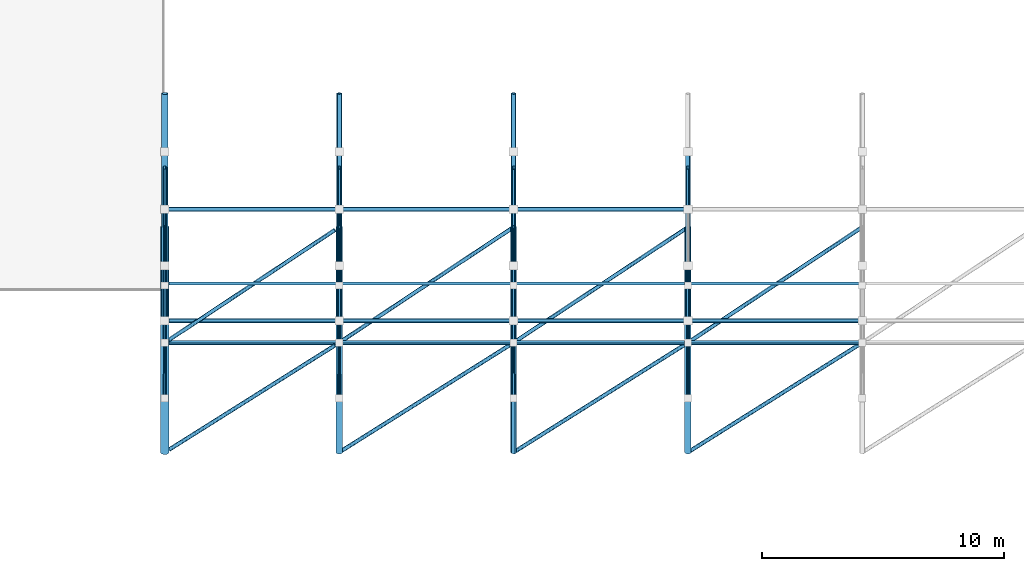
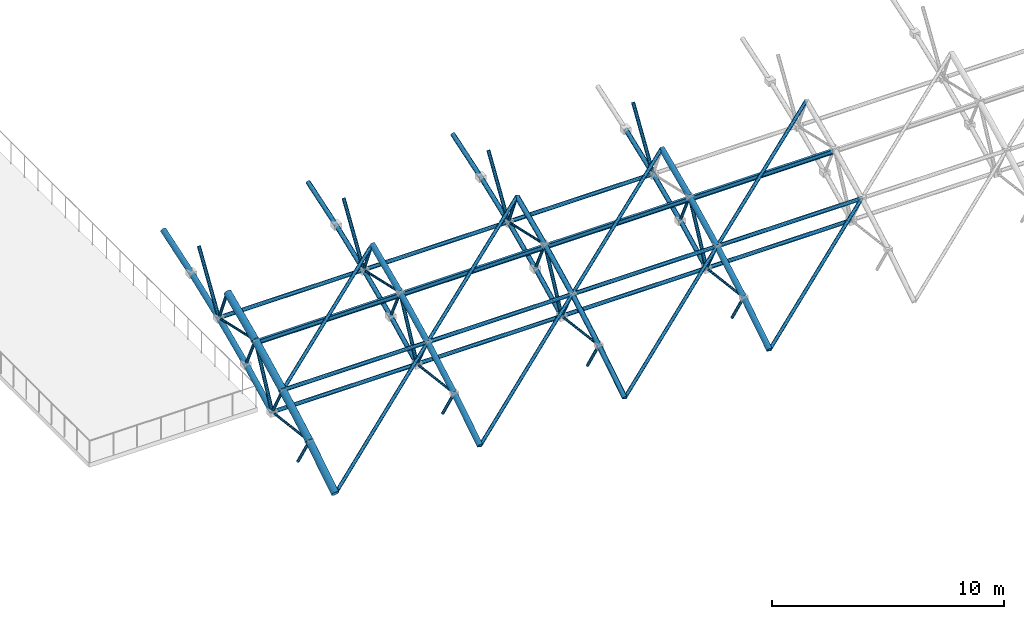
# One storey, part 52 of 89: 84 members.
"""IFC4 building model written with IfcOpenShell, lengths in metres."""

import ifcopenshell
import ifcopenshell.guid

model = None  # the IFC model being written
_history = None  # IfcOwnerHistory: only IFC2X3 demands one
_inside = {}  # id of a spatial element -> (the spatial element, [elements in it])
_under = {}  # id of a project, library or spatial element -> (it, [spatial elements below it])
_declared = {}  # id of a project -> (the project, [libraries it declares])
_typed = {}  # id of a type object -> (the type object, [elements of that type])
_made_of = {}  # id of a material, layer set ... -> (it, [elements and type objects made of it])


def new_model(schema):
    """Start an empty IFC model of exactly this schema.

    Asked for "IFC4X3", IfcOpenShell would pick the latest addendum, in which some entities
    have other attributes; the version numbers below select the first issue.
    IFC2X3 requires an IfcOwnerHistory on every rooted entity: one is made here for all.
    """
    global model, _history
    if schema == "IFC4X3":
        model = ifcopenshell.file(schema_version=(4, 3, 0, 0))
    else:
        model = ifcopenshell.file(schema=schema)
    _inside.clear()
    _under.clear()
    _declared.clear()
    _typed.clear()
    _made_of.clear()
    _history = None
    if model.schema == "IFC2X3":
        org = make("IfcOrganization", Name="unknown")
        user = make(
            "IfcPersonAndOrganization",
            ThePerson=make("IfcPerson", FamilyName="unknown"),
            TheOrganization=org,
        )
        app = make(
            "IfcApplication",
            ApplicationDeveloper=org,
            Version="unknown",
            ApplicationFullName="unknown",
            ApplicationIdentifier="unknown",
        )
        _history = make(
            "IfcOwnerHistory",
            OwningUser=user,
            OwningApplication=app,
            ChangeAction="ADDED",
            CreationDate=0,
        )
    return model


def make(cls, **values):
    """One entity of the class cls with the attributes given. An attribute that is None is left unset."""
    return model.create_entity(
        cls, **{name: value for name, value in values.items() if value is not None}
    )


def rooted(cls, **values):
    """An entity with a GlobalId (a new one), such as an element, a storey or a relation."""
    return make(cls, GlobalId=ifcopenshell.guid.new(), OwnerHistory=_history, **values)


def si_unit(unit_type, name, prefix=None):
    """IfcSIUnit, for example si_unit("LENGTHUNIT", "METRE", prefix="MILLI")."""
    return make("IfcSIUnit", UnitType=unit_type, Prefix=prefix, Name=name)


def assignment(units):
    """IfcUnitAssignment: the units of a project."""
    return None if units is None else make("IfcUnitAssignment", Units=units)


def point(xyz):
    """IfcCartesianPoint."""
    return None if xyz is None else make("IfcCartesianPoint", Coordinates=xyz)


def direction(xyz):
    """IfcDirection."""
    return None if xyz is None else make("IfcDirection", DirectionRatios=xyz)


def frame(location, z_axis=None, x_axis=None):
    """IfcAxis2Placement3D, a coordinate frame: its origin and axes. An axis left out is left unset."""
    return make(
        "IfcAxis2Placement3D",
        Location=point(location),
        Axis=direction(z_axis),
        RefDirection=direction(x_axis),
    )


def frame_2d(location, x_axis=None):
    """IfcAxis2Placement2D, a coordinate frame in the plane: its origin and x axis."""
    return make(
        "IfcAxis2Placement2D", Location=point(location), RefDirection=direction(x_axis)
    )


def origin():
    """The frame at (0, 0, 0) with its axes left unset."""
    return frame((0.0, 0.0, 0.0))


def origin_2d():
    """The frame at (0, 0) in the plane with its x axis left unset."""
    return frame_2d((0.0, 0.0))


def place(relative_to, where):
    """IfcLocalPlacement: puts the frame where relative to a parent placement (None: the world)."""
    return make(
        "IfcLocalPlacement", PlacementRelTo=relative_to, RelativePlacement=where
    )


def context(
    kind, dimensions, precision=None, world=None, true_north=None, identifier=None
):
    """IfcGeometricRepresentationContext, for example the 3D "Model" context."""
    return make(
        "IfcGeometricRepresentationContext",
        ContextIdentifier=identifier,
        ContextType=kind,
        CoordinateSpaceDimension=dimensions,
        Precision=precision,
        WorldCoordinateSystem=world,
        TrueNorth=true_north,
    )


def subcontext(parent, identifier, kind, view, scale=None):
    """IfcGeometricRepresentationSubContext, for example "Body" below "Model"."""
    return make(
        "IfcGeometricRepresentationSubContext",
        ContextIdentifier=identifier,
        ContextType=kind,
        ParentContext=parent,
        TargetScale=scale,
        TargetView=view,
    )


def project(units=None, contexts=None):
    """IfcProject with its units and contexts."""
    return rooted(
        "IfcProject",
        Name="project",
        RepresentationContexts=contexts,
        UnitsInContext=assignment(units),
    )


def spatial(cls, under=None, at=None, **own):
    """A site, building, storey or space (cls), placed at a placement, below another one or the project."""
    s = rooted(cls, ObjectPlacement=at, **own)
    if under is not None:
        _under.setdefault(under.id(), (under, []))[1].append(s)
    return s


def profile(cls, at=None, kind="AREA", **sizes):
    """A parametric profile (cls). Its sizes go by their IFC names, for example OverallWidth=200.0."""
    return make(cls, ProfileType=kind, Position=at, **sizes)


def hollow_circle(**sizes):
    """IfcCircleHollowProfileDef."""
    return profile("IfcCircleHollowProfileDef", **sizes)


def i_section(**sizes):
    """IfcIShapeProfileDef."""
    return profile("IfcIShapeProfileDef", **sizes)


def extrude(swept, where, along, depth):
    """IfcExtrudedAreaSolid: the profile swept, set in the frame where, extruded along a direction by depth."""
    return make(
        "IfcExtrudedAreaSolid",
        SweptArea=swept,
        Position=where,
        ExtrudedDirection=direction(along),
        Depth=depth,
    )


def shape(context_of_items, identifier, shape_type, items):
    """IfcShapeRepresentation: the items that make up one representation, for example the "Body"."""
    return make(
        "IfcShapeRepresentation",
        ContextOfItems=context_of_items,
        RepresentationIdentifier=identifier,
        RepresentationType=shape_type,
        Items=items,
    )


def material(Name=None, Category=None):
    """IfcMaterial."""
    return make("IfcMaterial", Name=Name, Category=Category)


def material_profile(
    of_material, cross_section, Name=None, Category=None, Priority=None
):
    """IfcMaterialProfile: a cross section and its material."""
    return make(
        "IfcMaterialProfile",
        Name=Name,
        Material=of_material,
        Profile=cross_section,
        Priority=Priority,
        Category=Category,
    )


def profile_set(profiles, Name=None, composite=None):
    """IfcMaterialProfileSet."""
    return make(
        "IfcMaterialProfileSet",
        Name=Name,
        MaterialProfiles=profiles,
        CompositeProfile=composite,
    )


def made_of(thing, what):
    """Note that an element or type object is made of a material, layer set ...; save() writes the relation."""
    if what is not None:
        _made_of.setdefault(what.id(), (what, []))[1].append(thing)
    return thing


def type_object(cls, material=None, **own):
    """A type object (cls), such as IfcWallType, which elements share."""
    return made_of(rooted(cls, **own), material)


def element(
    cls,
    number,
    at=None,
    inside=None,
    cuts=None,
    type_object=None,
    material=None,
    context=None,
    identifier="Body",
    shape_type=None,
    held_by="IfcProductDefinitionShape",
    body=None,
    shapes=None,
    **own,
):
    """One element of the class cls, such as IfcWall. Its Tag is "e" and its number.

    at: its placement. inside: the storey or other place that contains it. cuts: it is an
    opening in that element (IfcRelVoidsElement). A single representation is given by context,
    identifier, shape_type and body (its items); several are given by shapes. held_by: the class
    of the entity that holds the representations. save() writes the other relations.
    """
    e = rooted(cls, Tag="e%d" % number, ObjectPlacement=at, **own)
    if body is not None:
        shapes = [shape(context, identifier, shape_type, body)]
    if shapes is not None:
        e.Representation = make(held_by, Representations=shapes)
    if inside is not None:
        _inside.setdefault(inside.id(), (inside, []))[1].append(e)
    if cuts is not None:
        rooted(
            "IfcRelVoidsElement", RelatingBuildingElement=cuts, RelatedOpeningElement=e
        )
    if type_object is not None:
        _typed.setdefault(type_object.id(), (type_object, []))[1].append(e)
    return made_of(e, material)


def aggregate(whole, parts):
    """IfcRelAggregates: a whole, such as a stair, and the parts it consists of."""
    return rooted("IfcRelAggregates", RelatingObject=whole, RelatedObjects=parts)


def save(model, path):
    """Write the relations noted so far, then the file.

    IfcRelAggregates (storeys below a building ...), IfcRelContainedInSpatialStructure (elements
    in a storey), IfcRelDefinesByType, IfcRelAssociatesMaterial and IfcRelDeclares: one each for
    every whole, place, type object, material and project.
    """
    for whole, parts in _under.values():
        aggregate(whole, parts)
    for where, things in _inside.values():
        rooted(
            "IfcRelContainedInSpatialStructure",
            RelatedElements=things,
            RelatingStructure=where,
        )
    for kind, things in _typed.values():
        rooted("IfcRelDefinesByType", RelatedObjects=things, RelatingType=kind)
    for what, things in _made_of.values():
        rooted("IfcRelAssociatesMaterial", RelatedObjects=things, RelatingMaterial=what)
    for by, libraries in _declared.values():
        rooted("IfcRelDeclares", RelatingContext=by, RelatedDefinitions=libraries)
    model.write(path)


model = new_model("IFC4")

# Units and contexts
model_context = context("Model", 3, precision=1e-05, world=origin(), true_north=direction((0.0, 1.0)))
body_context = subcontext(model_context, "Body", "Model", "MODEL_VIEW")
ifc_project = project(units=[si_unit("LENGTHUNIT", "METRE"), si_unit("AREAUNIT", "SQUARE_METRE"), si_unit("VOLUMEUNIT", "CUBIC_METRE"), si_unit("PLANEANGLEUNIT", "RADIAN"), si_unit("MASSUNIT", "GRAM", prefix="KILO")], contexts=[model_context])

# Site, building, storey
site_placement = place(None, origin())
site = spatial("IfcSite", under=ifc_project, at=site_placement, CompositionType="ELEMENT")
building_placement = place(site_placement, origin())
building = spatial("IfcBuilding", under=site, at=building_placement, Name="Malvenik Polytechnic", CompositionType="ELEMENT")
storey_placement = place(building_placement, frame((0.0, 0.0, 13.5)))
storey = spatial("IfcBuildingStorey", under=building, at=storey_placement, Name="L03", CompositionType="ELEMENT", Elevation=13.5)

# Members
ifc_material_1 = material(Name="Steel S355J2H", Category="steel")
ifc_material_profile_1 = material_profile(ifc_material_1, hollow_circle(Radius=0.136474609375, WallThickness=0.010009765625, at=origin_2d()), Name="CHS 273.0x10.0")
ifc_profile_set_1 = profile_set([ifc_material_profile_1], Name="Steel S355J2H")
member_type_1 = type_object("IfcMemberType", Name="STR-MEM-SFB-01", PredefinedType="CHORD", material=ifc_profile_set_1)
for number, where, z_axis, x_axis, name in (
    (1, (134.39990234375, 40.3701171875, 0.5078125), (0.0, 0.894003091433, 0.448060791086), (-1.0, 0.0, 0.0), "Space-Frame Tube SFB-01 STR-SF-BC-0005"),
    (2, (134.39990234375, 42.643798828125, 1.647216796875), (0.0, 0.914781782252, 0.403948376479), (-1.0, 0.0, 0.0), "Space-Frame Tube SFB-01 STR-SF-BC-0007"),
    (3, (134.39990234375, 44.970458984375, 2.67431640625), (0.0, 0.933457240212, 0.358688696079), (-1.0, 0.0, 0.0), "Space-Frame Tube SFB-01 STR-SF-BC-0009"),
):
    element("IfcMember", number, at=place(storey_placement, frame(where, z_axis=z_axis, x_axis=x_axis)), inside=storey, type_object=member_type_1, Name=name, PredefinedType="CHORD", context=body_context, shape_type="SweptSolid", body=[
        extrude(hollow_circle(Radius=0.136474609375, WallThickness=0.010009765625, at=origin_2d()), origin(), (0.0, 0.0, 1.0), 2.535400390625),
    ])
member_1_placement = place(storey_placement, frame((134.39990234375, 47.3447265625, 3.58642578125), z_axis=(0.0, 0.949889677261, 0.312585349999), x_axis=(-1.0, 0.0, 0.0)))
element("IfcMember", 4, at=member_1_placement, inside=storey, type_object=member_type_1, Name="Space-Frame Tube SFB-01 STR-SF-BC-0011", PredefinedType="CHORD", context=body_context, shape_type="SweptSolid", body=[
    extrude(hollow_circle(Radius=0.136474609375, WallThickness=0.010009765625, at=origin_2d()), origin(), (0.0, 0.0, 1.0), 2.53515625),
])
ifc_material_profile_2 = material_profile(ifc_material_1, hollow_circle(Radius=0.109619140625, WallThickness=0.010009765625, at=origin_2d()), Name="CHS 219.1x10.0")
ifc_profile_set_2 = profile_set([ifc_material_profile_2], Name="Steel S355J2H")
member_type_2 = type_object("IfcMemberType", Name="STR-MEM-SFB-02", PredefinedType="CHORD", material=ifc_profile_set_2)
for number, where, z_axis, x_axis, name in (
    (5, (141.60009765625, 40.3701171875, 0.5078125), (0.0, 0.894003091433, 0.448060791086), (-1.0, 0.0, 0.0), "Space-Frame Tube SFB-02 STR-SF-BC-0102"),
    (6, (141.60009765625, 42.643798828125, 1.647216796875), (0.0, 0.914781782252, 0.403948376479), (-1.0, 0.0, 0.0), "Space-Frame Tube SFB-02 STR-SF-BC-0104"),
    (7, (141.60009765625, 44.970458984375, 2.67431640625), (0.0, 0.933457240212, 0.358688696079), (-1.0, 0.0, 0.0), "Space-Frame Tube SFB-02 STR-SF-BC-0106"),
):
    element("IfcMember", number, at=place(storey_placement, frame(where, z_axis=z_axis, x_axis=x_axis)), inside=storey, type_object=member_type_2, Name=name, PredefinedType="CHORD", context=body_context, shape_type="SweptSolid", body=[
        extrude(hollow_circle(Radius=0.109619140625, WallThickness=0.010009765625, at=origin_2d()), origin(), (0.0, 0.0, 1.0), 2.535400390625),
    ])
member_2_placement = place(storey_placement, frame((141.60009765625, 47.3447265625, 3.58642578125), z_axis=(0.0, 0.949889677261, 0.312585349999), x_axis=(-1.0, 0.0, 0.0)))
element("IfcMember", 8, at=member_2_placement, inside=storey, type_object=member_type_2, Name="Space-Frame Tube SFB-02 STR-SF-BC-0108", PredefinedType="CHORD", context=body_context, shape_type="SweptSolid", body=[
    extrude(hollow_circle(Radius=0.109619140625, WallThickness=0.010009765625, at=origin_2d()), origin(), (0.0, 0.0, 1.0), 2.53515625),
])
for number, where, z_axis, x_axis, name in (
    (9, (156.0, 40.3701171875, 0.5078125), (0.0, 0.894003091433, 0.448060791086), (-1.0, 0.0, 0.0), "Space-Frame Tube SFB-02 STR-SF-BC-0296"),
    (10, (156.0, 42.643798828125, 1.647216796875), (0.0, 0.914781782252, 0.403948376479), (-1.0, 0.0, 0.0), "Space-Frame Tube SFB-02 STR-SF-BC-0298"),
    (11, (156.0, 44.970458984375, 2.67431640625), (0.0, 0.933457240212, 0.358688696079), (-1.0, 0.0, 0.0), "Space-Frame Tube SFB-02 STR-SF-BC-0300"),
):
    element("IfcMember", number, at=place(storey_placement, frame(where, z_axis=z_axis, x_axis=x_axis)), inside=storey, type_object=member_type_2, Name=name, PredefinedType="CHORD", context=body_context, shape_type="SweptSolid", body=[
        extrude(hollow_circle(Radius=0.109619140625, WallThickness=0.010009765625, at=origin_2d()), origin(), (0.0, 0.0, 1.0), 2.535400390625),
    ])
ifc_material_profile_3 = material_profile(ifc_material_1, hollow_circle(Radius=0.109619140625, WallThickness=0.008056640625, at=origin_2d()), Name="CHS 219.1x8.0")
ifc_profile_set_3 = profile_set([ifc_material_profile_3], Name="Steel S355J2H")
member_type_3 = type_object("IfcMemberType", Name="STR-MEM-SFB-03", PredefinedType="CHORD", material=ifc_profile_set_3)
for number, where, z_axis, x_axis, name in (
    (12, (148.800048828125, 40.3701171875, 0.5078125), (0.0, 0.894003091433, 0.448060791086), (-1.0, 0.0, 0.0), "Space-Frame Tube SFB-03 STR-SF-BC-0199"),
    (13, (148.800048828125, 42.643798828125, 1.647216796875), (0.0, 0.914781782252, 0.403948376479), (-1.0, 0.0, 0.0), "Space-Frame Tube SFB-03 STR-SF-BC-0201"),
    (14, (148.800048828125, 44.970458984375, 2.67431640625), (0.0, 0.933457240212, 0.358688696079), (-1.0, 0.0, 0.0), "Space-Frame Tube SFB-03 STR-SF-BC-0203"),
):
    element("IfcMember", number, at=place(storey_placement, frame(where, z_axis=z_axis, x_axis=x_axis)), inside=storey, type_object=member_type_3, Name=name, PredefinedType="CHORD", context=body_context, shape_type="SweptSolid", body=[
        extrude(hollow_circle(Radius=0.109619140625, WallThickness=0.008056640625, at=origin_2d()), origin(), (0.0, 0.0, 1.0), 2.535400390625),
    ])
member_3_placement = place(storey_placement, frame((148.800048828125, 47.3447265625, 3.58642578125), z_axis=(0.0, 0.949889677261, 0.312585349999), x_axis=(-1.0, 0.0, 0.0)))
element("IfcMember", 15, at=member_3_placement, inside=storey, type_object=member_type_3, Name="Space-Frame Tube SFB-03 STR-SF-BC-0205", PredefinedType="CHORD", context=body_context, shape_type="SweptSolid", body=[
    extrude(hollow_circle(Radius=0.109619140625, WallThickness=0.008056640625, at=origin_2d()), origin(), (0.0, 0.0, 1.0), 2.53515625),
])
ifc_material_profile_4 = material_profile(ifc_material_1, hollow_circle(Radius=0.084228515625, WallThickness=0.00634765625, at=origin_2d()), Name="CHS 168.3x6.3")
ifc_profile_set_4 = profile_set([ifc_material_profile_4], Name="Steel S355J2H")
member_type_4 = type_object("IfcMemberType", Name="STR-MEM-SFD-02", PredefinedType="BRACE", material=ifc_profile_set_4)
member_4_placement = place(storey_placement, frame((134.39990234375, 40.368408203125, 0.509521484375), z_axis=(0.0, 0.450365953403, 0.892844055821), x_axis=(-1.0, 0.0, 0.0)))
element("IfcMember", 16, at=member_4_placement, inside=storey, type_object=member_type_4, Name="Space-Frame Tube SFD-02 STR-SF-AD-0076", PredefinedType="BRACE", context=body_context, shape_type="SweptSolid", body=[
    extrude(hollow_circle(Radius=0.084228515625, WallThickness=0.00634765625, at=origin_2d()), origin(), (0.0, 0.0, 1.0), 3.218994140625),
])
member_5_placement = place(storey_placement, frame((134.39990234375, 44.968994140625, 2.676513671875), z_axis=(0.0, 0.535421954328, 0.844584709087), x_axis=(-1.0, 0.0, 0.0)))
element("IfcMember", 17, at=member_5_placement, inside=storey, type_object=member_type_4, Name="Space-Frame Tube SFD-02 STR-SF-AD-0078", PredefinedType="BRACE", context=body_context, shape_type="SweptSolid", body=[
    extrude(hollow_circle(Radius=0.084228515625, WallThickness=0.00634765625, at=origin_2d()), origin(), (0.0, 0.0, 1.0), 3.21875),
])
member_6_placement = place(storey_placement, frame((141.60009765625, 40.368408203125, 0.509521484375), z_axis=(0.0, 0.450365953403, 0.892844055821), x_axis=(-1.0, 0.0, 0.0)))
element("IfcMember", 18, at=member_6_placement, inside=storey, type_object=member_type_4, Name="Space-Frame Tube SFD-02 STR-SF-AD-0173", PredefinedType="BRACE", context=body_context, shape_type="SweptSolid", body=[
    extrude(hollow_circle(Radius=0.084228515625, WallThickness=0.00634765625, at=origin_2d()), origin(), (0.0, 0.0, 1.0), 3.218994140625),
])
member_7_placement = place(storey_placement, frame((141.60009765625, 44.968994140625, 2.676513671875), z_axis=(0.0, 0.535421954328, 0.844584709087), x_axis=(-1.0, 0.0, 0.0)))
element("IfcMember", 19, at=member_7_placement, inside=storey, type_object=member_type_4, Name="Space-Frame Tube SFD-02 STR-SF-AD-0175", PredefinedType="BRACE", context=body_context, shape_type="SweptSolid", body=[
    extrude(hollow_circle(Radius=0.084228515625, WallThickness=0.00634765625, at=origin_2d()), origin(), (0.0, 0.0, 1.0), 3.21875),
])
member_8_placement = place(storey_placement, frame((148.800048828125, 40.368408203125, 0.509521484375), z_axis=(0.0, 0.450365953403, 0.892844055821), x_axis=(-1.0, 0.0, 0.0)))
element("IfcMember", 20, at=member_8_placement, inside=storey, type_object=member_type_4, Name="Space-Frame Tube SFD-02 STR-SF-AD-0270", PredefinedType="BRACE", context=body_context, shape_type="SweptSolid", body=[
    extrude(hollow_circle(Radius=0.084228515625, WallThickness=0.00634765625, at=origin_2d()), origin(), (0.0, 0.0, 1.0), 3.218994140625),
])
member_9_placement = place(storey_placement, frame((148.800048828125, 44.968994140625, 2.676513671875), z_axis=(0.0, 0.535421954328, 0.844584709087), x_axis=(-1.0, 0.0, 0.0)))
element("IfcMember", 21, at=member_9_placement, inside=storey, type_object=member_type_4, Name="Space-Frame Tube SFD-02 STR-SF-AD-0272", PredefinedType="BRACE", context=body_context, shape_type="SweptSolid", body=[
    extrude(hollow_circle(Radius=0.084228515625, WallThickness=0.00634765625, at=origin_2d()), origin(), (0.0, 0.0, 1.0), 3.21875),
])
member_10_placement = place(storey_placement, frame((156.0, 40.368408203125, 0.509521484375), z_axis=(0.0, 0.450365953403, 0.892844055821), x_axis=(-1.0, 0.0, 0.0)))
element("IfcMember", 22, at=member_10_placement, inside=storey, type_object=member_type_4, Name="Space-Frame Tube SFD-02 STR-SF-AD-0367", PredefinedType="BRACE", context=body_context, shape_type="SweptSolid", body=[
    extrude(hollow_circle(Radius=0.084228515625, WallThickness=0.00634765625, at=origin_2d()), origin(), (0.0, 0.0, 1.0), 3.218994140625),
])
member_11_placement = place(storey_placement, frame((156.0, 44.968994140625, 2.676513671875), z_axis=(0.0, 0.535421954328, 0.844584709087), x_axis=(-1.0, 0.0, 0.0)))
element("IfcMember", 23, at=member_11_placement, inside=storey, type_object=member_type_4, Name="Space-Frame Tube SFD-02 STR-SF-AD-0369", PredefinedType="BRACE", context=body_context, shape_type="SweptSolid", body=[
    extrude(hollow_circle(Radius=0.084228515625, WallThickness=0.00634765625, at=origin_2d()), origin(), (0.0, 0.0, 1.0), 3.21875),
])
for number, where, z_axis, x_axis, name in (
    (24, (134.577392578125, 35.04541015625, -0.4306640625), (0.806755569266, 0.507394525588, 0.302813881552), (-0.532390408719, 0.846498938395, 0.0), "Space-Frame Tube SFD-02 STR-SF-SD-0803"),
    (25, (134.577392578125, 39.57958984375, 2.260498046875), (0.806758942007, 0.534530311209, 0.251828028406), (-0.552330829134, 0.833625008735, 0.0), "Space-Frame Tube SFD-02 STR-SF-SD-0804"),
):
    element("IfcMember", number, at=place(storey_placement, frame(where, z_axis=z_axis, x_axis=x_axis)), inside=storey, type_object=member_type_4, Name=name, PredefinedType="BRACE", context=body_context, shape_type="SweptSolid", body=[
        extrude(hollow_circle(Radius=0.084228515625, WallThickness=0.00634765625, at=origin_2d()), origin(), (0.0, 0.0, 1.0), 8.48486328125),
    ])
for number, where, z_axis, x_axis, name in (
    (26, (141.603271484375, 34.935791015625, -0.49609375), (0.806747277077, 0.507403378204, 0.302821139809), (-0.532400985757, 0.846492286064, 0.0), "Space-Frame Tube SFD-02 STR-SF-SD-0845"),
    (27, (141.603271484375, 39.464111328125, 2.206298828125), (0.806760787968, 0.534545761531, 0.251789316347), (-0.552341045188, 0.833618239844, 0.0), "Space-Frame Tube SFD-02 STR-SF-SD-0846"),
    (28, (148.80322265625, 34.935791015625, -0.49609375), (0.806747277077, 0.507403378204, 0.302821139809), (-0.532400985757, 0.846492286064, 0.0), "Space-Frame Tube SFD-02 STR-SF-SD-0887"),
    (29, (148.80322265625, 39.464111328125, 2.206298828125), (0.806760787968, 0.534545761531, 0.251789316347), (-0.552341045188, 0.833618239844, 0.0), "Space-Frame Tube SFD-02 STR-SF-SD-0888"),
    (30, (156.003173828125, 34.935791015625, -0.49609375), (0.806747277077, 0.507403378204, 0.302821139809), (-0.532400985757, 0.846492286064, 0.0), "Space-Frame Tube SFD-02 STR-SF-SD-0929"),
    (31, (156.003173828125, 39.464111328125, 2.206298828125), (0.806760787968, 0.534545761531, 0.251789316347), (-0.552341045188, 0.833618239844, 0.0), "Space-Frame Tube SFD-02 STR-SF-SD-0930"),
):
    element("IfcMember", number, at=place(storey_placement, frame(where, z_axis=z_axis, x_axis=x_axis)), inside=storey, type_object=member_type_4, Name=name, PredefinedType="BRACE", context=body_context, shape_type="SweptSolid", body=[
        extrude(hollow_circle(Radius=0.084228515625, WallThickness=0.00634765625, at=origin_2d()), origin(), (0.0, 0.0, 1.0), 8.916748046875),
    ])
ifc_material_profile_5 = material_profile(ifc_material_1, hollow_circle(Radius=0.06982421875, WallThickness=0.00634765625, at=origin_2d()), Name="CHS 139.7x6.3")
ifc_profile_set_5 = profile_set([ifc_material_profile_5], Name="Steel S355J2H")
member_type_5 = type_object("IfcMemberType", Name="STR-MEM-SFD-03", PredefinedType="BRACE", material=ifc_profile_set_5)
for number, where, z_axis, x_axis, name in (
    (32, (134.39990234375, 38.1494140625, -0.740234375), (0.0, -0.512452965651, 0.858715295075), (1.0, 0.0, 0.0), "Space-Frame Tube SFD-03 STR-SF-WB-0050"),
    (33, (134.39990234375, 40.36474609375, 0.509521484375), (0.0, -0.469841077687, 0.882751019097), (1.0, 0.0, 0.0), "Space-Frame Tube SFD-03 STR-SF-WB-0051"),
    (34, (134.39990234375, 42.638427734375, 1.6494140625), (0.0, -0.426152750684, 0.904651221789), (1.0, 0.0, 0.0), "Space-Frame Tube SFD-03 STR-SF-WB-0052"),
    (35, (134.39990234375, 44.96533203125, 2.6767578125), (0.0, -0.381447924526, 0.924390329285), (1.0, 0.0, 0.0), "Space-Frame Tube SFD-03 STR-SF-WB-0053"),
    (36, (141.60009765625, 38.1494140625, -0.740234375), (0.0, -0.512452965651, 0.858715295075), (1.0, 0.0, 0.0), "Space-Frame Tube SFD-03 STR-SF-WB-0147"),
    (37, (141.60009765625, 40.36474609375, 0.509521484375), (0.0, -0.469841077687, 0.882751019097), (1.0, 0.0, 0.0), "Space-Frame Tube SFD-03 STR-SF-WB-0148"),
    (38, (141.60009765625, 42.638427734375, 1.6494140625), (0.0, -0.426152750684, 0.904651221789), (1.0, 0.0, 0.0), "Space-Frame Tube SFD-03 STR-SF-WB-0149"),
    (39, (141.60009765625, 44.96533203125, 2.6767578125), (0.0, -0.381447924526, 0.924390329285), (1.0, 0.0, 0.0), "Space-Frame Tube SFD-03 STR-SF-WB-0150"),
    (40, (148.800048828125, 38.1494140625, -0.740234375), (0.0, -0.512452965651, 0.858715295075), (1.0, 0.0, 0.0), "Space-Frame Tube SFD-03 STR-SF-WB-0244"),
    (41, (148.800048828125, 40.36474609375, 0.509521484375), (0.0, -0.469841077687, 0.882751019097), (1.0, 0.0, 0.0), "Space-Frame Tube SFD-03 STR-SF-WB-0245"),
    (42, (148.800048828125, 42.638427734375, 1.6494140625), (0.0, -0.426152750684, 0.904651221789), (1.0, 0.0, 0.0), "Space-Frame Tube SFD-03 STR-SF-WB-0246"),
    (43, (148.800048828125, 44.96533203125, 2.6767578125), (0.0, -0.381447924526, 0.924390329285), (1.0, 0.0, 0.0), "Space-Frame Tube SFD-03 STR-SF-WB-0247"),
    (44, (156.0, 38.1494140625, -0.740234375), (0.0, -0.512452965651, 0.858715295075), (1.0, 0.0, 0.0), "Space-Frame Tube SFD-03 STR-SF-WB-0341"),
    (45, (156.0, 40.36474609375, 0.509521484375), (0.0, -0.469841077687, 0.882751019097), (1.0, 0.0, 0.0), "Space-Frame Tube SFD-03 STR-SF-WB-0342"),
    (46, (156.0, 42.638427734375, 1.6494140625), (0.0, -0.426152750684, 0.904651221789), (1.0, 0.0, 0.0), "Space-Frame Tube SFD-03 STR-SF-WB-0343"),
):
    element("IfcMember", number, at=place(storey_placement, frame(where, z_axis=z_axis, x_axis=x_axis)), inside=storey, type_object=member_type_5, Name=name, PredefinedType="BRACE", context=body_context, shape_type="SweptSolid", body=[
        extrude(hollow_circle(Radius=0.06982421875, WallThickness=0.00634765625, at=origin_2d()), origin(), (0.0, 0.0, 1.0), 1.9169921875),
    ])
ifc_material_profile_6 = material_profile(ifc_material_1, hollow_circle(Radius=0.05712890625, WallThickness=0.0048828125, at=origin_2d()), Name="CHS 114.3x5.0")
ifc_profile_set_6 = profile_set([ifc_material_profile_6], Name="Steel S355J2H")
member_type_6 = type_object("IfcMemberType", Name="STR-MEM-SFD-04", PredefinedType="BRACE", material=ifc_profile_set_6)
member_12_placement = place(storey_placement, frame((134.39990234375, 37.38330078125, 0.8818359375), z_axis=(0.0, 0.992154741111, -0.125015877754), x_axis=(-1.0, 0.0, 0.0)))
element("IfcMember", 47, at=member_12_placement, inside=storey, type_object=member_type_6, Name="Space-Frame Tube SFD-04 STR-SF-AD-0075", PredefinedType="BRACE", context=body_context, shape_type="SweptSolid", body=[
    extrude(hollow_circle(Radius=0.05712890625, WallThickness=0.0048828125, at=origin_2d()), origin(), (0.0, 0.0, 1.0), 2.786865234375),
])
member_13_placement = place(storey_placement, frame((134.39990234375, 41.82373046875, 3.38623046875), z_axis=(0.0, 0.975202839924, -0.221312948118), x_axis=(-1.0, 0.0, 0.0)))
element("IfcMember", 48, at=member_13_placement, inside=storey, type_object=member_type_6, Name="Space-Frame Tube SFD-04 STR-SF-AD-0077", PredefinedType="BRACE", context=body_context, shape_type="SweptSolid", body=[
    extrude(hollow_circle(Radius=0.05712890625, WallThickness=0.0048828125, at=origin_2d()), origin(), (0.0, 0.0, 1.0), 3.218994140625),
])
member_14_placement = place(storey_placement, frame((141.60009765625, 37.1689453125, 0.908935546875), z_axis=(0.0, 0.992157222226, -0.124996185477), x_axis=(-1.0, 0.0, 0.0)))
element("IfcMember", 49, at=member_14_placement, inside=storey, type_object=member_type_6, Name="Space-Frame Tube SFD-04 STR-SF-AD-0172", PredefinedType="BRACE", context=body_context, shape_type="SweptSolid", body=[
    extrude(hollow_circle(Radius=0.05712890625, WallThickness=0.0048828125, at=origin_2d()), origin(), (0.0, 0.0, 1.0), 3.21875),
])
member_15_placement = place(storey_placement, frame((141.60009765625, 41.82373046875, 3.38623046875), z_axis=(0.0, 0.975202839924, -0.221312948118), x_axis=(-1.0, 0.0, 0.0)))
element("IfcMember", 50, at=member_15_placement, inside=storey, type_object=member_type_6, Name="Space-Frame Tube SFD-04 STR-SF-AD-0174", PredefinedType="BRACE", context=body_context, shape_type="SweptSolid", body=[
    extrude(hollow_circle(Radius=0.05712890625, WallThickness=0.0048828125, at=origin_2d()), origin(), (0.0, 0.0, 1.0), 3.218994140625),
])
member_16_placement = place(storey_placement, frame((148.800048828125, 37.1689453125, 0.908935546875), z_axis=(0.0, 0.992157222226, -0.124996185477), x_axis=(-1.0, 0.0, 0.0)))
element("IfcMember", 51, at=member_16_placement, inside=storey, type_object=member_type_6, Name="Space-Frame Tube SFD-04 STR-SF-AD-0269", PredefinedType="BRACE", context=body_context, shape_type="SweptSolid", body=[
    extrude(hollow_circle(Radius=0.05712890625, WallThickness=0.0048828125, at=origin_2d()), origin(), (0.0, 0.0, 1.0), 3.21875),
])
member_17_placement = place(storey_placement, frame((148.800048828125, 41.82373046875, 3.38623046875), z_axis=(0.0, 0.975202839924, -0.221312948118), x_axis=(-1.0, 0.0, 0.0)))
element("IfcMember", 52, at=member_17_placement, inside=storey, type_object=member_type_6, Name="Space-Frame Tube SFD-04 STR-SF-AD-0271", PredefinedType="BRACE", context=body_context, shape_type="SweptSolid", body=[
    extrude(hollow_circle(Radius=0.05712890625, WallThickness=0.0048828125, at=origin_2d()), origin(), (0.0, 0.0, 1.0), 3.218994140625),
])
member_18_placement = place(storey_placement, frame((156.0, 37.1689453125, 0.908935546875), z_axis=(0.0, 0.992157222226, -0.124996185477), x_axis=(-1.0, 0.0, 0.0)))
element("IfcMember", 53, at=member_18_placement, inside=storey, type_object=member_type_6, Name="Space-Frame Tube SFD-04 STR-SF-AD-0366", PredefinedType="BRACE", context=body_context, shape_type="SweptSolid", body=[
    extrude(hollow_circle(Radius=0.05712890625, WallThickness=0.0048828125, at=origin_2d()), origin(), (0.0, 0.0, 1.0), 3.21875),
])
ifc_material_profile_7 = material_profile(ifc_material_1, hollow_circle(Radius=0.096923828125, WallThickness=0.008056640625, at=origin_2d()), Name="CHS 193.7x8.0")
ifc_profile_set_7 = profile_set([ifc_material_profile_7], Name="Steel S355J2H")
member_type_7 = type_object("IfcMemberType", Name="STR-MEM-SFL-01", PredefinedType="CHORD", material=ifc_profile_set_7)
for number, where, z_axis, x_axis, name in (
    (54, (134.404052734375, 40.36669921875, 0.506103515625), (1.0, 0.0, 0.0), (0.0, 1.0, 0.0), "Space-Frame Tube SFL-01 STR-SF-LB-0779"),
    (55, (134.404052734375, 39.462158203125, 2.205078125), (1.0, 0.0, 0.0), (0.0, 1.0, 0.0), "Space-Frame Tube SFL-01 STR-SF-LT-0780"),
    (56, (134.404052734375, 44.966796875, 2.673095703125), (1.0, 0.0, 0.0), (0.0, 1.0, 0.0), "Space-Frame Tube SFL-01 STR-SF-LB-0781"),
    (57, (141.60400390625, 40.36669921875, 0.506103515625), (1.0, 0.0, 0.0), (0.0, 1.0, 0.0), "Space-Frame Tube SFL-01 STR-SF-LB-0821"),
    (58, (141.60400390625, 39.462158203125, 2.205078125), (1.0, 0.0, 0.0), (0.0, 1.0, 0.0), "Space-Frame Tube SFL-01 STR-SF-LT-0822"),
    (59, (141.60400390625, 44.966796875, 2.673095703125), (1.0, 0.0, 0.0), (0.0, 1.0, 0.0), "Space-Frame Tube SFL-01 STR-SF-LB-0823"),
):
    element("IfcMember", number, at=place(storey_placement, frame(where, z_axis=z_axis, x_axis=x_axis)), inside=storey, type_object=member_type_7, Name=name, PredefinedType="CHORD", context=body_context, shape_type="SweptSolid", body=[
        extrude(hollow_circle(Radius=0.096923828125, WallThickness=0.008056640625, at=origin_2d()), origin(), (0.0, 0.0, 1.0), 7.19189453125),
    ])
for number, where, z_axis, x_axis, name in (
    (60, (148.803955078125, 40.36669921875, 0.506103515625), (1.0, 0.0, 0.0), (0.0, 1.0, 0.0), "Space-Frame Tube SFL-01 STR-SF-LB-0863"),
    (61, (148.803955078125, 39.462158203125, 2.205078125), (1.0, 0.0, 0.0), (0.0, 1.0, 0.0), "Space-Frame Tube SFL-01 STR-SF-LT-0864"),
    (62, (148.803955078125, 44.966796875, 2.673095703125), (1.0, 0.0, 0.0), (0.0, 1.0, 0.0), "Space-Frame Tube SFL-01 STR-SF-LB-0865"),
    (63, (156.00390625, 40.36669921875, 0.506103515625), (1.0, 0.0, 0.0), (0.0, 1.0, 0.0), "Space-Frame Tube SFL-01 STR-SF-LB-0905"),
    (64, (156.00390625, 39.462158203125, 2.205078125), (1.0, 0.0, 0.0), (0.0, 1.0, 0.0), "Space-Frame Tube SFL-01 STR-SF-LT-0906"),
):
    element("IfcMember", number, at=place(storey_placement, frame(where, z_axis=z_axis, x_axis=x_axis)), inside=storey, type_object=member_type_7, Name=name, PredefinedType="CHORD", context=body_context, shape_type="SweptSolid", body=[
        extrude(hollow_circle(Radius=0.096923828125, WallThickness=0.008056640625, at=origin_2d()), origin(), (0.0, 0.0, 1.0), 7.192138671875),
    ])
ifc_material_2 = material(Name="Steel S355", Category="steel")
ifc_material_profile_8 = material_profile(ifc_material_2, i_section(OverallWidth=0.1201171875, OverallDepth=0.239990234375, WebThickness=0.006103515625, FlangeThickness=0.009765625, FilletRadius=0.014892578125, at=origin_2d()), Name="IPE 240")
ifc_profile_set_8 = profile_set([ifc_material_profile_8], Name="Steel S355")
member_type_8 = type_object("IfcMemberType", Name="STR-MEM-SFP-01", PredefinedType="PURLIN", material=ifc_profile_set_8)
member_19_placement = place(storey_placement, frame((134.419921875, 41.9072265625, 3.201904296875), z_axis=(1.0, 0.0, 0.0), x_axis=(0.0, 1.0, 0.0)))
element("IfcMember", 65, at=member_19_placement, inside=storey, type_object=member_type_8, Name="Vault Roof Purlin SFP-01 #815", PredefinedType="PURLIN", context=body_context, shape_type="SweptSolid", body=[
    extrude(i_section(OverallWidth=0.1201171875, OverallDepth=0.239990234375, WebThickness=0.006103515625, FlangeThickness=0.009765625, FilletRadius=0.014892578125, at=origin_2d()), origin(), (0.0, 0.0, 1.0), 7.16015625),
])
for number, where, z_axis, x_axis, name in (
    (66, (141.6201171875, 41.9072265625, 3.201904296875), (1.0, 0.0, 0.0), (0.0, 1.0, 0.0), "Vault Roof Purlin SFP-01 #857"),
    (67, (148.820068359375, 41.9072265625, 3.201904296875), (1.0, 0.0, 0.0), (0.0, 1.0, 0.0), "Vault Roof Purlin SFP-01 #899"),
    (68, (156.02001953125, 41.9072265625, 3.201904296875), (1.0, 0.0, 0.0), (0.0, 1.0, 0.0), "Vault Roof Purlin SFP-01 #941"),
):
    element("IfcMember", number, at=place(storey_placement, frame(where, z_axis=z_axis, x_axis=x_axis)), inside=storey, type_object=member_type_8, Name=name, PredefinedType="PURLIN", context=body_context, shape_type="SweptSolid", body=[
        extrude(i_section(OverallWidth=0.1201171875, OverallDepth=0.239990234375, WebThickness=0.006103515625, FlangeThickness=0.009765625, FilletRadius=0.014892578125, at=origin_2d()), origin(), (0.0, 0.0, 1.0), 7.159912109375),
    ])
ifc_material_profile_9 = material_profile(ifc_material_1, hollow_circle(Radius=0.177734375, WallThickness=0.012451171875, at=origin_2d()), Name="CHS 355.6x12.5")
ifc_profile_set_9 = profile_set([ifc_material_profile_9], Name="Steel S355J2H")
member_type_9 = type_object("IfcMemberType", Name="STR-MEM-SFT-01", PredefinedType="CHORD", material=ifc_profile_set_9)
member_20_placement = place(storey_placement, frame((134.39990234375, 34.937255859375, -0.4951171875), z_axis=(0.0, 0.845921049745, 0.53330814507), x_axis=(-1.0, 0.0, 0.0)))
element("IfcMember", 69, at=member_20_placement, inside=storey, type_object=member_type_9, Name="Space-Frame Tube SFT-01 STR-SF-TC-0002", PredefinedType="CHORD", context=body_context, shape_type="SweptSolid", body=[
    extrude(hollow_circle(Radius=0.177734375, WallThickness=0.012451171875, at=origin_2d()), origin(), (0.0, 0.0, 1.0), 2.629638671875),
])
member_21_placement = place(storey_placement, frame((134.39990234375, 37.16845703125, 0.911376953125), z_axis=(0.0, 0.870989675079, 0.491301318853), x_axis=(-1.0, 0.0, 0.0)))
element("IfcMember", 70, at=member_21_placement, inside=storey, type_object=member_type_9, Name="Space-Frame Tube SFT-01 STR-SF-TC-0004", PredefinedType="CHORD", context=body_context, shape_type="SweptSolid", body=[
    extrude(hollow_circle(Radius=0.177734375, WallThickness=0.012451171875, at=origin_2d()), origin(), (0.0, 0.0, 1.0), 2.629150390625),
])
member_22_placement = place(storey_placement, frame((134.39990234375, 39.4658203125, 2.20703125), z_axis=(0.0, 0.893943858367, 0.448178957659), x_axis=(-1.0, 0.0, 0.0)))
element("IfcMember", 71, at=member_22_placement, inside=storey, type_object=member_type_9, Name="Space-Frame Tube SFT-01 STR-SF-TC-0006", PredefinedType="CHORD", context=body_context, shape_type="SweptSolid", body=[
    extrude(hollow_circle(Radius=0.177734375, WallThickness=0.012451171875, at=origin_2d()), origin(), (0.0, 0.0, 1.0), 2.62939453125),
])
member_23_placement = place(storey_placement, frame((134.39990234375, 41.823486328125, 3.388916015625), z_axis=(0.0, 0.91481188125, 0.403880207393), x_axis=(-1.0, 0.0, 0.0)))
element("IfcMember", 72, at=member_23_placement, inside=storey, type_object=member_type_9, Name="Space-Frame Tube SFT-01 STR-SF-TC-0008", PredefinedType="CHORD", context=body_context, shape_type="SweptSolid", body=[
    extrude(hollow_circle(Radius=0.177734375, WallThickness=0.012451171875, at=origin_2d()), origin(), (0.0, 0.0, 1.0), 2.629638671875),
])
ifc_material_profile_10 = material_profile(ifc_material_1, hollow_circle(Radius=0.136474609375, WallThickness=0.012451171875, at=origin_2d()), Name="CHS 273.0x12.5")
ifc_profile_set_10 = profile_set([ifc_material_profile_10], Name="Steel S355J2H")
member_type_10 = type_object("IfcMemberType", Name="STR-MEM-SFT-02", PredefinedType="CHORD", material=ifc_profile_set_10)
member_24_placement = place(storey_placement, frame((141.60009765625, 34.937255859375, -0.4951171875), z_axis=(0.0, 0.845921049745, 0.53330814507), x_axis=(-1.0, 0.0, 0.0)))
element("IfcMember", 73, at=member_24_placement, inside=storey, type_object=member_type_10, Name="Space-Frame Tube SFT-02 STR-SF-TC-0099", PredefinedType="CHORD", context=body_context, shape_type="SweptSolid", body=[
    extrude(hollow_circle(Radius=0.136474609375, WallThickness=0.012451171875, at=origin_2d()), origin(), (0.0, 0.0, 1.0), 2.629638671875),
])
member_25_placement = place(storey_placement, frame((141.60009765625, 37.16845703125, 0.911376953125), z_axis=(0.0, 0.870989675079, 0.491301318853), x_axis=(-1.0, 0.0, 0.0)))
element("IfcMember", 74, at=member_25_placement, inside=storey, type_object=member_type_10, Name="Space-Frame Tube SFT-02 STR-SF-TC-0101", PredefinedType="CHORD", context=body_context, shape_type="SweptSolid", body=[
    extrude(hollow_circle(Radius=0.136474609375, WallThickness=0.012451171875, at=origin_2d()), origin(), (0.0, 0.0, 1.0), 2.629150390625),
])
member_26_placement = place(storey_placement, frame((141.60009765625, 39.4658203125, 2.20703125), z_axis=(0.0, 0.893943858367, 0.448178957659), x_axis=(-1.0, 0.0, 0.0)))
element("IfcMember", 75, at=member_26_placement, inside=storey, type_object=member_type_10, Name="Space-Frame Tube SFT-02 STR-SF-TC-0103", PredefinedType="CHORD", context=body_context, shape_type="SweptSolid", body=[
    extrude(hollow_circle(Radius=0.136474609375, WallThickness=0.012451171875, at=origin_2d()), origin(), (0.0, 0.0, 1.0), 2.62939453125),
])
for number, where, z_axis, x_axis, name in (
    (76, (141.60009765625, 41.823486328125, 3.388916015625), (0.0, 0.91481188125, 0.403880207393), (-1.0, 0.0, 0.0), "Space-Frame Tube SFT-02 STR-SF-TC-0105"),
    (77, (156.0, 34.937255859375, -0.4951171875), (0.0, 0.845921049745, 0.53330814507), (-1.0, 0.0, 0.0), "Space-Frame Tube SFT-02 STR-SF-TC-0293"),
):
    element("IfcMember", number, at=place(storey_placement, frame(where, z_axis=z_axis, x_axis=x_axis)), inside=storey, type_object=member_type_10, Name=name, PredefinedType="CHORD", context=body_context, shape_type="SweptSolid", body=[
        extrude(hollow_circle(Radius=0.136474609375, WallThickness=0.012451171875, at=origin_2d()), origin(), (0.0, 0.0, 1.0), 2.629638671875),
    ])
member_27_placement = place(storey_placement, frame((156.0, 37.16845703125, 0.911376953125), z_axis=(0.0, 0.870989675079, 0.491301318853), x_axis=(-1.0, 0.0, 0.0)))
element("IfcMember", 78, at=member_27_placement, inside=storey, type_object=member_type_10, Name="Space-Frame Tube SFT-02 STR-SF-TC-0295", PredefinedType="CHORD", context=body_context, shape_type="SweptSolid", body=[
    extrude(hollow_circle(Radius=0.136474609375, WallThickness=0.012451171875, at=origin_2d()), origin(), (0.0, 0.0, 1.0), 2.629150390625),
])
member_28_placement = place(storey_placement, frame((156.0, 39.4658203125, 2.20703125), z_axis=(0.0, 0.893943858367, 0.448178957659), x_axis=(-1.0, 0.0, 0.0)))
element("IfcMember", 79, at=member_28_placement, inside=storey, type_object=member_type_10, Name="Space-Frame Tube SFT-02 STR-SF-TC-0297", PredefinedType="CHORD", context=body_context, shape_type="SweptSolid", body=[
    extrude(hollow_circle(Radius=0.136474609375, WallThickness=0.012451171875, at=origin_2d()), origin(), (0.0, 0.0, 1.0), 2.62939453125),
])
member_29_placement = place(storey_placement, frame((156.0, 41.823486328125, 3.388916015625), z_axis=(0.0, 0.91481188125, 0.403880207393), x_axis=(-1.0, 0.0, 0.0)))
element("IfcMember", 80, at=member_29_placement, inside=storey, type_object=member_type_10, Name="Space-Frame Tube SFT-02 STR-SF-TC-0299", PredefinedType="CHORD", context=body_context, shape_type="SweptSolid", body=[
    extrude(hollow_circle(Radius=0.136474609375, WallThickness=0.012451171875, at=origin_2d()), origin(), (0.0, 0.0, 1.0), 2.629638671875),
])
ifc_material_profile_11 = material_profile(ifc_material_1, hollow_circle(Radius=0.122314453125, WallThickness=0.010009765625, at=origin_2d()), Name="CHS 244.5x10.0")
ifc_profile_set_11 = profile_set([ifc_material_profile_11], Name="Steel S355J2H")
member_type_11 = type_object("IfcMemberType", Name="STR-MEM-SFT-03", PredefinedType="CHORD", material=ifc_profile_set_11)
member_30_placement = place(storey_placement, frame((148.800048828125, 34.937255859375, -0.4951171875), z_axis=(0.0, 0.845921049745, 0.53330814507), x_axis=(-1.0, 0.0, 0.0)))
element("IfcMember", 81, at=member_30_placement, inside=storey, type_object=member_type_11, Name="Space-Frame Tube SFT-03 STR-SF-TC-0196", PredefinedType="CHORD", context=body_context, shape_type="SweptSolid", body=[
    extrude(hollow_circle(Radius=0.122314453125, WallThickness=0.010009765625, at=origin_2d()), origin(), (0.0, 0.0, 1.0), 2.629638671875),
])
member_31_placement = place(storey_placement, frame((148.800048828125, 37.16845703125, 0.911376953125), z_axis=(0.0, 0.870989675079, 0.491301318853), x_axis=(-1.0, 0.0, 0.0)))
element("IfcMember", 82, at=member_31_placement, inside=storey, type_object=member_type_11, Name="Space-Frame Tube SFT-03 STR-SF-TC-0198", PredefinedType="CHORD", context=body_context, shape_type="SweptSolid", body=[
    extrude(hollow_circle(Radius=0.122314453125, WallThickness=0.010009765625, at=origin_2d()), origin(), (0.0, 0.0, 1.0), 2.629150390625),
])
member_32_placement = place(storey_placement, frame((148.800048828125, 39.4658203125, 2.20703125), z_axis=(0.0, 0.893943858367, 0.448178957659), x_axis=(-1.0, 0.0, 0.0)))
element("IfcMember", 83, at=member_32_placement, inside=storey, type_object=member_type_11, Name="Space-Frame Tube SFT-03 STR-SF-TC-0200", PredefinedType="CHORD", context=body_context, shape_type="SweptSolid", body=[
    extrude(hollow_circle(Radius=0.122314453125, WallThickness=0.010009765625, at=origin_2d()), origin(), (0.0, 0.0, 1.0), 2.62939453125),
])
member_33_placement = place(storey_placement, frame((148.800048828125, 41.823486328125, 3.388916015625), z_axis=(0.0, 0.91481188125, 0.403880207393), x_axis=(-1.0, 0.0, 0.0)))
element("IfcMember", 84, at=member_33_placement, inside=storey, type_object=member_type_11, Name="Space-Frame Tube SFT-03 STR-SF-TC-0202", PredefinedType="CHORD", context=body_context, shape_type="SweptSolid", body=[
    extrude(hollow_circle(Radius=0.122314453125, WallThickness=0.010009765625, at=origin_2d()), origin(), (0.0, 0.0, 1.0), 2.629638671875),
])

save(model, "model.ifc")
